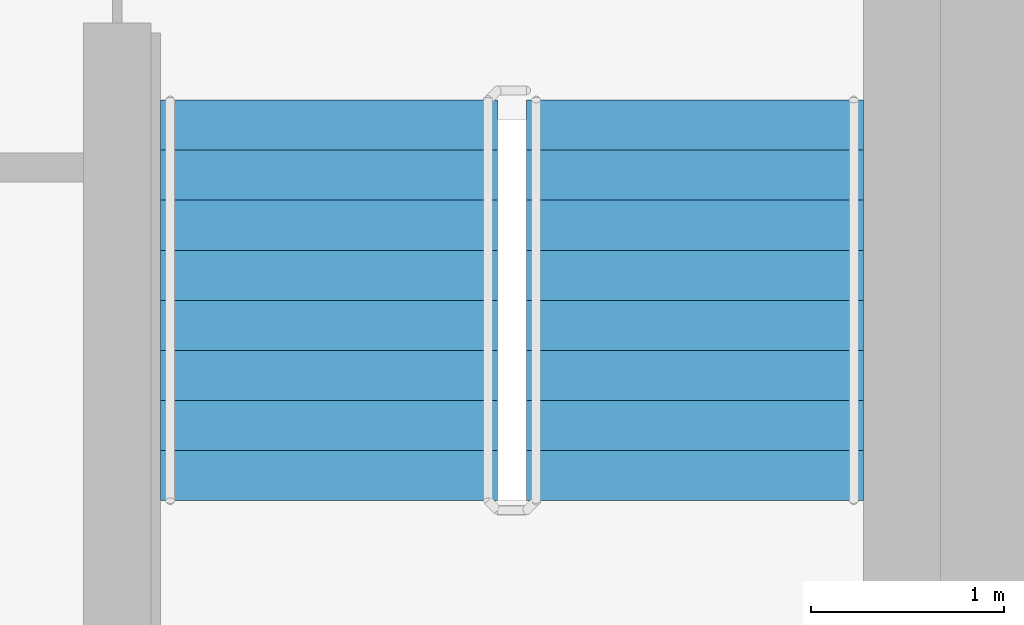
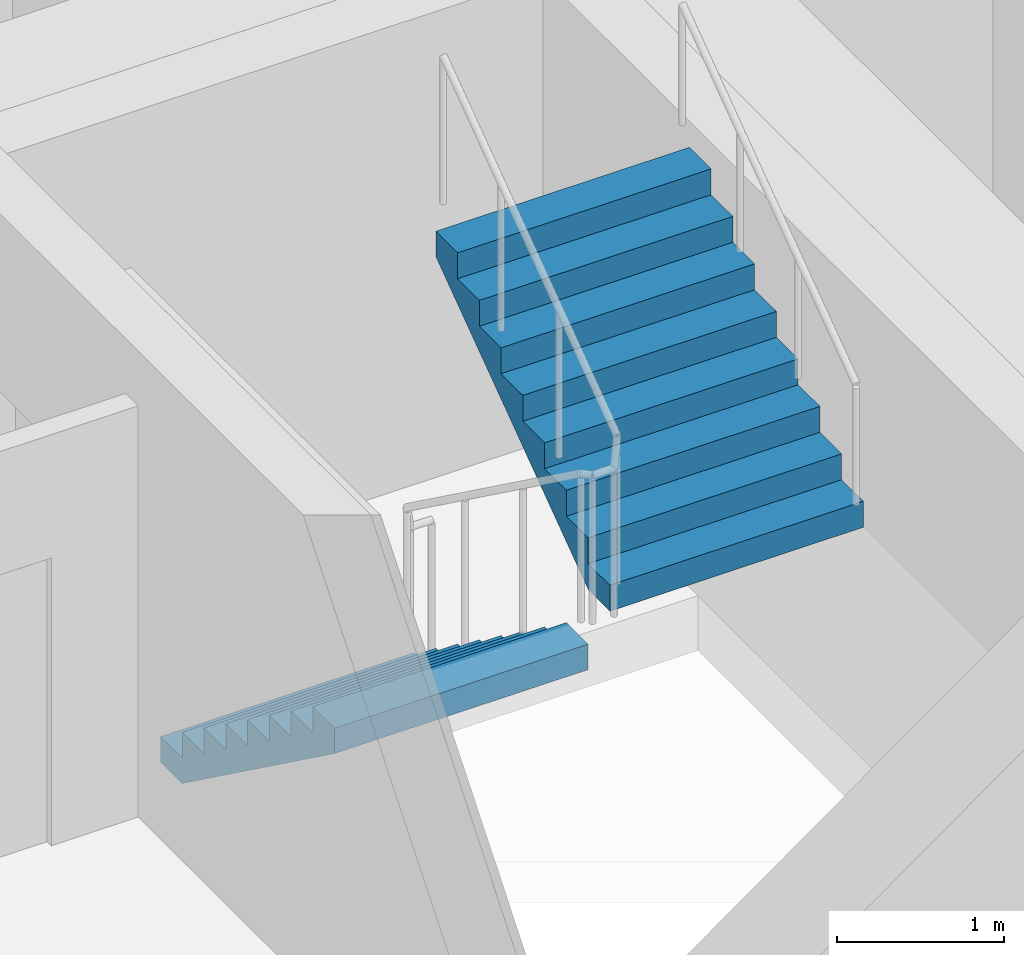
# One storey, part 16 of 20: 2 stair flights, 1 element without a shape of its own.
"""IFC4 building model written with IfcOpenShell, lengths in metres."""

from ifc_helpers import new_model, si_unit, direction, frame, origin, place, context, subcontext, project, spatial, faceted_brep, material, type_object, element, aggregate, save


model = new_model("IFC4")

# Units and contexts
model_context = context("Model", 3, precision=1e-05, world=origin(), true_north=direction((0.0, 1.0)))
body_context = subcontext(model_context, "Body", "Model", "MODEL_VIEW")
ifc_project = project(units=[si_unit("LENGTHUNIT", "METRE"), si_unit("AREAUNIT", "SQUARE_METRE"), si_unit("VOLUMEUNIT", "CUBIC_METRE"), si_unit("PLANEANGLEUNIT", "RADIAN"), si_unit("MASSUNIT", "GRAM", prefix="KILO")], contexts=[model_context])

# Site, building, storey
site_placement = place(None, origin())
site = spatial("IfcSite", under=ifc_project, at=site_placement, CompositionType="ELEMENT")
building_placement = place(site_placement, origin())
building = spatial("IfcBuilding", under=site, at=building_placement, Name="Ipe Terrace Towers", CompositionType="ELEMENT")
storey_placement = place(building_placement, frame((0.0, 0.0, 167.699951171875)))
storey = spatial("IfcBuildingStorey", under=building, at=storey_placement, Name="L46", CompositionType="ELEMENT", Elevation=167.699951171875)

# Stair, stair flights
ifc_material_1 = material(Name="Concrete C30/37", Category="concrete")
stair_type = type_object("IfcStairType", Name="Protected exit stair", PredefinedType="HALF_TURN_STAIR", material=ifc_material_1)
stair_placement = place(storey_placement, origin())
stair = element("IfcStair", 1, at=stair_placement, inside=storey, type_object=stair_type, Name="L46 Exit stair T2-C2", PredefinedType="HALF_TURN_STAIR")
ifc_material_2 = material(Name="Concrete C30/37", Category="concrete")
stair_flight_type = type_object("IfcStairFlightType", Name="Exit stair flight 1750", PredefinedType="STRAIGHT", material=ifc_material_2)
stair_flight_1_placement = place(storey_placement, frame((38.77490234375, -9.699951171875, 0.0), z_axis=(0.0, 0.0, 1.0), x_axis=(0.0, -1.0, 0.0)))
stair_flight_1 = element("IfcStairFlight", 2, at=stair_flight_1_placement, type_object=stair_flight_type, Name="T2-ST2 flight 1", NumberOfRisers=9, NumberOfTreads=8, PredefinedType="STRAIGHT", RiserHeight=0.188888889, TreadLength=0.26, context=body_context, shape_type="Brep", body=[
    faceted_brep([(0.255126953125, -0.875, 0.0), (2.080078125, -0.875, 1.325927734375), (2.080078125, -0.875, 1.51123046875), (1.820068359375, -0.875, 1.51123046875), (1.820068359375, -0.875, 1.322265625), (1.56005859375, -0.875, 1.322265625), (1.56005859375, -0.875, 1.13330078125), (1.300048828125, -0.875, 1.13330078125), (1.300048828125, -0.875, 0.9443359375), (1.0400390625, -0.875, 0.9443359375), (1.0400390625, -0.875, 0.755615234375), (0.780029296875, -0.875, 0.755615234375), (0.780029296875, -0.875, 0.566650390625), (0.52001953125, -0.875, 0.566650390625), (0.52001953125, -0.875, 0.377685546875), (0.260009765625, -0.875, 0.377685546875), (0.260009765625, -0.875, 0.18896484375), (0.0, -0.875, 0.18896484375), (0.0, -0.875, 0.0), (0.0, 0.875, 0.0), (0.0, 0.875, 0.18896484375), (0.260009765625, 0.875, 0.18896484375), (0.260009765625, 0.875, 0.377685546875), (0.52001953125, 0.875, 0.377685546875), (0.52001953125, 0.875, 0.566650390625), (0.780029296875, 0.875, 0.566650390625), (0.780029296875, 0.875, 0.755615234375), (1.0400390625, 0.875, 0.755615234375), (1.0400390625, 0.875, 0.9443359375), (1.300048828125, 0.875, 0.9443359375), (1.300048828125, 0.875, 1.13330078125), (1.56005859375, 0.875, 1.13330078125), (1.56005859375, 0.875, 1.322265625), (1.820068359375, 0.875, 1.322265625), (1.820068359375, 0.875, 1.51123046875), (2.080078125, 0.875, 1.51123046875), (2.080078125, 0.875, 1.325927734375), (0.255126953125, 0.875, 0.0), (0.0, -0.300048828125, 0.18896484375), (0.0, -0.1201171875, 0.18896484375), (0.0, -0.06005859375, 0.18896484375), (0.0, -0.030029296875, 0.18896484375), (0.0, -0.010009765625, 0.18896484375), (0.0, 0.0, 0.18896484375), (0.0, 0.010009765625, 0.18896484375), (0.0, 0.030029296875, 0.18896484375), (0.0, 0.06005859375, 0.18896484375), (0.0, 0.1201171875, 0.18896484375), (0.0, 0.300048828125, 0.18896484375), (0.0, 0.300048828125, 0.0), (0.0, 0.1201171875, 0.0), (0.0, 0.06005859375, 0.0), (0.0, 0.030029296875, 0.0), (0.0, 0.010009765625, 0.0), (0.0, 0.0, 0.0), (0.0, -0.010009765625, 0.0), (0.0, -0.030029296875, 0.0), (0.0, -0.06005859375, 0.0), (0.0, -0.1201171875, 0.0), (0.0, -0.300048828125, 0.0), (0.260009765625, -0.300048828125, 0.18896484375), (0.260009765625, -0.1201171875, 0.18896484375), (0.260009765625, -0.06005859375, 0.18896484375), (0.260009765625, -0.030029296875, 0.18896484375), (0.260009765625, -0.010009765625, 0.18896484375), (0.260009765625, 0.0, 0.18896484375), (0.260009765625, 0.010009765625, 0.18896484375), (0.260009765625, 0.030029296875, 0.18896484375), (0.260009765625, 0.06005859375, 0.18896484375), (0.260009765625, 0.1201171875, 0.18896484375), (0.260009765625, 0.300048828125, 0.18896484375), (0.260009765625, -0.300048828125, 0.377685546875), (0.260009765625, -0.1201171875, 0.377685546875), (0.260009765625, -0.06005859375, 0.377685546875), (0.260009765625, -0.030029296875, 0.377685546875), (0.260009765625, -0.010009765625, 0.377685546875), (0.260009765625, 0.0, 0.377685546875), (0.260009765625, 0.010009765625, 0.377685546875), (0.260009765625, 0.030029296875, 0.377685546875), (0.260009765625, 0.06005859375, 0.377685546875), (0.260009765625, 0.1201171875, 0.377685546875), (0.260009765625, 0.300048828125, 0.377685546875), (0.52001953125, -0.300048828125, 0.377685546875), (0.52001953125, -0.1201171875, 0.377685546875), (0.52001953125, -0.06005859375, 0.377685546875), (0.52001953125, -0.030029296875, 0.377685546875), (0.52001953125, -0.010009765625, 0.377685546875), (0.52001953125, 0.0, 0.377685546875), (0.52001953125, 0.010009765625, 0.377685546875), (0.52001953125, 0.030029296875, 0.377685546875), (0.52001953125, 0.06005859375, 0.377685546875), (0.52001953125, 0.1201171875, 0.377685546875), (0.52001953125, 0.300048828125, 0.377685546875), (0.52001953125, -0.300048828125, 0.566650390625), (0.52001953125, -0.1201171875, 0.566650390625), (0.52001953125, -0.06005859375, 0.566650390625), (0.52001953125, -0.030029296875, 0.566650390625), (0.52001953125, -0.010009765625, 0.566650390625), (0.52001953125, 0.0, 0.566650390625), (0.52001953125, 0.010009765625, 0.566650390625), (0.52001953125, 0.030029296875, 0.566650390625), (0.52001953125, 0.06005859375, 0.566650390625), (0.52001953125, 0.1201171875, 0.566650390625), (0.52001953125, 0.300048828125, 0.566650390625), (0.780029296875, -0.300048828125, 0.566650390625), (0.780029296875, -0.1201171875, 0.566650390625), (0.780029296875, -0.06005859375, 0.566650390625), (0.780029296875, -0.030029296875, 0.566650390625), (0.780029296875, -0.010009765625, 0.566650390625), (0.780029296875, 0.0, 0.566650390625), (0.780029296875, 0.010009765625, 0.566650390625), (0.780029296875, 0.030029296875, 0.566650390625), (0.780029296875, 0.06005859375, 0.566650390625), (0.780029296875, 0.1201171875, 0.566650390625), (0.780029296875, 0.300048828125, 0.566650390625), (0.780029296875, -0.300048828125, 0.755615234375), (0.780029296875, -0.1201171875, 0.755615234375), (0.780029296875, -0.06005859375, 0.755615234375), (0.780029296875, -0.030029296875, 0.755615234375), (0.780029296875, -0.010009765625, 0.755615234375), (0.780029296875, 0.0, 0.755615234375), (0.780029296875, 0.010009765625, 0.755615234375), (0.780029296875, 0.030029296875, 0.755615234375), (0.780029296875, 0.06005859375, 0.755615234375), (0.780029296875, 0.1201171875, 0.755615234375), (0.780029296875, 0.300048828125, 0.755615234375), (1.0400390625, -0.300048828125, 0.755615234375), (1.0400390625, -0.1201171875, 0.755615234375), (1.0400390625, -0.06005859375, 0.755615234375), (1.0400390625, -0.030029296875, 0.755615234375), (1.0400390625, -0.010009765625, 0.755615234375), (1.0400390625, 0.0, 0.755615234375), (1.0400390625, 0.010009765625, 0.755615234375), (1.0400390625, 0.030029296875, 0.755615234375), (1.0400390625, 0.06005859375, 0.755615234375), (1.0400390625, 0.1201171875, 0.755615234375), (1.0400390625, 0.300048828125, 0.755615234375), (1.0400390625, -0.300048828125, 0.9443359375), (1.0400390625, -0.1201171875, 0.9443359375), (1.0400390625, -0.06005859375, 0.9443359375), (1.0400390625, -0.030029296875, 0.9443359375), (1.0400390625, -0.010009765625, 0.9443359375), (1.0400390625, 0.0, 0.9443359375), (1.0400390625, 0.010009765625, 0.9443359375), (1.0400390625, 0.030029296875, 0.9443359375), (1.0400390625, 0.06005859375, 0.9443359375), (1.0400390625, 0.1201171875, 0.9443359375), (1.0400390625, 0.300048828125, 0.9443359375), (1.300048828125, -0.300048828125, 0.9443359375), (1.300048828125, -0.1201171875, 0.9443359375), (1.300048828125, -0.06005859375, 0.9443359375), (1.300048828125, -0.030029296875, 0.9443359375), (1.300048828125, -0.010009765625, 0.9443359375), (1.300048828125, 0.0, 0.9443359375), (1.300048828125, 0.010009765625, 0.9443359375), (1.300048828125, 0.030029296875, 0.9443359375), (1.300048828125, 0.06005859375, 0.9443359375), (1.300048828125, 0.1201171875, 0.9443359375), (1.300048828125, 0.300048828125, 0.9443359375), (1.300048828125, -0.300048828125, 1.13330078125), (1.300048828125, -0.1201171875, 1.13330078125), (1.300048828125, -0.06005859375, 1.13330078125), (1.300048828125, -0.030029296875, 1.13330078125), (1.300048828125, -0.010009765625, 1.13330078125), (1.300048828125, 0.0, 1.13330078125), (1.300048828125, 0.010009765625, 1.13330078125), (1.300048828125, 0.030029296875, 1.13330078125), (1.300048828125, 0.06005859375, 1.13330078125), (1.300048828125, 0.1201171875, 1.13330078125), (1.300048828125, 0.300048828125, 1.13330078125), (1.56005859375, -0.300048828125, 1.13330078125), (1.56005859375, -0.1201171875, 1.13330078125), (1.56005859375, -0.06005859375, 1.13330078125), (1.56005859375, -0.030029296875, 1.13330078125), (1.56005859375, -0.010009765625, 1.13330078125), (1.56005859375, 0.0, 1.13330078125), (1.56005859375, 0.010009765625, 1.13330078125), (1.56005859375, 0.030029296875, 1.13330078125), (1.56005859375, 0.06005859375, 1.13330078125), (1.56005859375, 0.1201171875, 1.13330078125), (1.56005859375, 0.300048828125, 1.13330078125), (1.56005859375, -0.300048828125, 1.322265625), (1.56005859375, -0.1201171875, 1.322265625), (1.56005859375, -0.06005859375, 1.322265625), (1.56005859375, -0.030029296875, 1.322265625), (1.56005859375, -0.010009765625, 1.322265625), (1.56005859375, 0.0, 1.322265625), (1.56005859375, 0.010009765625, 1.322265625), (1.56005859375, 0.030029296875, 1.322265625), (1.56005859375, 0.06005859375, 1.322265625), (1.56005859375, 0.1201171875, 1.322265625), (1.56005859375, 0.300048828125, 1.322265625), (1.820068359375, -0.300048828125, 1.322265625), (1.820068359375, -0.1201171875, 1.322265625), (1.820068359375, -0.06005859375, 1.322265625), (1.820068359375, -0.030029296875, 1.322265625), (1.820068359375, -0.010009765625, 1.322265625), (1.820068359375, 0.0, 1.322265625), (1.820068359375, 0.010009765625, 1.322265625), (1.820068359375, 0.030029296875, 1.322265625), (1.820068359375, 0.06005859375, 1.322265625), (1.820068359375, 0.1201171875, 1.322265625), (1.820068359375, 0.300048828125, 1.322265625), (1.820068359375, -0.300048828125, 1.51123046875), (1.820068359375, -0.1201171875, 1.51123046875), (1.820068359375, -0.06005859375, 1.51123046875), (1.820068359375, -0.030029296875, 1.51123046875), (1.820068359375, -0.010009765625, 1.51123046875), (1.820068359375, 0.0, 1.51123046875), (1.820068359375, 0.010009765625, 1.51123046875), (1.820068359375, 0.030029296875, 1.51123046875), (1.820068359375, 0.06005859375, 1.51123046875), (1.820068359375, 0.1201171875, 1.51123046875), (1.820068359375, 0.300048828125, 1.51123046875), (2.080078125, -0.300048828125, 1.51123046875), (2.080078125, -0.1201171875, 1.51123046875), (2.080078125, -0.06005859375, 1.51123046875), (2.080078125, -0.030029296875, 1.51123046875), (2.080078125, -0.010009765625, 1.51123046875), (2.080078125, 0.0, 1.51123046875), (2.080078125, 0.010009765625, 1.51123046875), (2.080078125, 0.030029296875, 1.51123046875), (2.080078125, 0.06005859375, 1.51123046875), (2.080078125, 0.1201171875, 1.51123046875), (2.080078125, 0.300048828125, 1.51123046875), (2.080078125, -0.300048828125, 1.325927734375), (2.080078125, -0.1201171875, 1.325927734375), (2.080078125, -0.06005859375, 1.325927734375), (2.080078125, -0.030029296875, 1.325927734375), (2.080078125, -0.010009765625, 1.325927734375), (2.080078125, 0.0, 1.325927734375), (2.080078125, 0.010009765625, 1.325927734375), (2.080078125, 0.030029296875, 1.325927734375), (2.080078125, 0.06005859375, 1.325927734375), (2.080078125, 0.1201171875, 1.325927734375), (2.080078125, 0.300048828125, 1.325927734375), (0.255126953125, -0.300048828125, 0.0), (0.255126953125, -0.1201171875, 0.0), (0.255126953125, -0.06005859375, 0.0), (0.255126953125, -0.030029296875, 0.0), (0.255126953125, -0.010009765625, 0.0), (0.255126953125, 0.0, 0.0), (0.255126953125, 0.010009765625, 0.0), (0.255126953125, 0.030029296875, 0.0), (0.255126953125, 0.06005859375, 0.0), (0.255126953125, 0.1201171875, 0.0), (0.255126953125, 0.300048828125, 0.0)], [[[0, 1, 2, 3, 4, 5, 6, 7, 8, 9, 10, 11, 12, 13, 14, 15, 16, 17, 18]], [[19, 20, 21, 22, 23, 24, 25, 26, 27, 28, 29, 30, 31, 32, 33, 34, 35, 36, 37]], [[17, 38, 39, 40, 41, 42, 43, 44, 45, 46, 47, 48, 20, 19, 49, 50, 51, 52, 53, 54, 55, 56, 57, 58, 59, 18]], [[16, 60, 61, 62, 63, 64, 65, 66, 67, 68, 69, 70, 21, 20, 48, 47, 46, 45, 44, 43, 42, 41, 40, 39, 38, 17]], [[15, 71, 72, 73, 74, 75, 76, 77, 78, 79, 80, 81, 22, 21, 70, 69, 68, 67, 66, 65, 64, 63, 62, 61, 60, 16]], [[14, 82, 83, 84, 85, 86, 87, 88, 89, 90, 91, 92, 23, 22, 81, 80, 79, 78, 77, 76, 75, 74, 73, 72, 71, 15]], [[13, 93, 94, 95, 96, 97, 98, 99, 100, 101, 102, 103, 24, 23, 92, 91, 90, 89, 88, 87, 86, 85, 84, 83, 82, 14]], [[12, 104, 105, 106, 107, 108, 109, 110, 111, 112, 113, 114, 25, 24, 103, 102, 101, 100, 99, 98, 97, 96, 95, 94, 93, 13]], [[11, 115, 116, 117, 118, 119, 120, 121, 122, 123, 124, 125, 26, 25, 114, 113, 112, 111, 110, 109, 108, 107, 106, 105, 104, 12]], [[10, 126, 127, 128, 129, 130, 131, 132, 133, 134, 135, 136, 27, 26, 125, 124, 123, 122, 121, 120, 119, 118, 117, 116, 115, 11]], [[9, 137, 138, 139, 140, 141, 142, 143, 144, 145, 146, 147, 28, 27, 136, 135, 134, 133, 132, 131, 130, 129, 128, 127, 126, 10]], [[8, 148, 149, 150, 151, 152, 153, 154, 155, 156, 157, 158, 29, 28, 147, 146, 145, 144, 143, 142, 141, 140, 139, 138, 137, 9]], [[7, 159, 160, 161, 162, 163, 164, 165, 166, 167, 168, 169, 30, 29, 158, 157, 156, 155, 154, 153, 152, 151, 150, 149, 148, 8]], [[6, 170, 171, 172, 173, 174, 175, 176, 177, 178, 179, 180, 31, 30, 169, 168, 167, 166, 165, 164, 163, 162, 161, 160, 159, 7]], [[5, 181, 182, 183, 184, 185, 186, 187, 188, 189, 190, 191, 32, 31, 180, 179, 178, 177, 176, 175, 174, 173, 172, 171, 170, 6]], [[4, 192, 193, 194, 195, 196, 197, 198, 199, 200, 201, 202, 33, 32, 191, 190, 189, 188, 187, 186, 185, 184, 183, 182, 181, 5]], [[3, 203, 204, 205, 206, 207, 208, 209, 210, 211, 212, 213, 34, 33, 202, 201, 200, 199, 198, 197, 196, 195, 194, 193, 192, 4]], [[2, 214, 215, 216, 217, 218, 219, 220, 221, 222, 223, 224, 35, 34, 213, 212, 211, 210, 209, 208, 207, 206, 205, 204, 203, 3]], [[1, 225, 226, 227, 228, 229, 230, 231, 232, 233, 234, 235, 36, 35, 224, 223, 222, 221, 220, 219, 218, 217, 216, 215, 214, 2]], [[0, 236, 237, 238, 239, 240, 241, 242, 243, 244, 245, 246, 37, 36, 235, 234, 233, 232, 231, 230, 229, 228, 227, 226, 225, 1]], [[18, 59, 58, 57, 56, 55, 54, 53, 52, 51, 50, 49, 19, 37, 246, 245, 244, 243, 242, 241, 240, 239, 238, 237, 236, 0]]]),
])
stair_flight_2_placement = place(storey_placement, frame((40.675048828125, -11.780029296875, 1.699951171875), z_axis=(0.0, 0.0, 1.0), x_axis=(0.0, 1.0, 0.0)))
stair_flight_2 = element("IfcStairFlight", 3, at=stair_flight_2_placement, type_object=stair_flight_type, Name="T2-ST2 flight 2", NumberOfRisers=9, NumberOfTreads=8, PredefinedType="STRAIGHT", RiserHeight=0.188888889, TreadLength=0.26, context=body_context, shape_type="Brep", body=[
    faceted_brep([(0.255126953125, -0.875, 0.0), (2.080078125, -0.875, 1.325927734375), (2.080078125, -0.875, 1.51123046875), (1.820068359375, -0.875, 1.51123046875), (1.820068359375, -0.875, 1.322265625), (1.56005859375, -0.875, 1.322265625), (1.56005859375, -0.875, 1.13330078125), (1.300048828125, -0.875, 1.13330078125), (1.300048828125, -0.875, 0.9443359375), (1.0400390625, -0.875, 0.9443359375), (1.0400390625, -0.875, 0.755615234375), (0.780029296875, -0.875, 0.755615234375), (0.780029296875, -0.875, 0.566650390625), (0.52001953125, -0.875, 0.566650390625), (0.52001953125, -0.875, 0.377685546875), (0.260009765625, -0.875, 0.377685546875), (0.260009765625, -0.875, 0.18896484375), (0.0, -0.875, 0.18896484375), (0.0, -0.875, 0.0), (0.0, 0.875, 0.0), (0.0, 0.875, 0.18896484375), (0.260009765625, 0.875, 0.18896484375), (0.260009765625, 0.875, 0.377685546875), (0.52001953125, 0.875, 0.377685546875), (0.52001953125, 0.875, 0.566650390625), (0.780029296875, 0.875, 0.566650390625), (0.780029296875, 0.875, 0.755615234375), (1.0400390625, 0.875, 0.755615234375), (1.0400390625, 0.875, 0.9443359375), (1.300048828125, 0.875, 0.9443359375), (1.300048828125, 0.875, 1.13330078125), (1.56005859375, 0.875, 1.13330078125), (1.56005859375, 0.875, 1.322265625), (1.820068359375, 0.875, 1.322265625), (1.820068359375, 0.875, 1.51123046875), (2.080078125, 0.875, 1.51123046875), (2.080078125, 0.875, 1.325927734375), (0.255126953125, 0.875, 0.0), (0.0, -0.300048828125, 0.18896484375), (0.0, -0.1201171875, 0.18896484375), (0.0, -0.06005859375, 0.18896484375), (0.0, -0.030029296875, 0.18896484375), (0.0, -0.010009765625, 0.18896484375), (0.0, 0.0, 0.18896484375), (0.0, 0.010009765625, 0.18896484375), (0.0, 0.030029296875, 0.18896484375), (0.0, 0.06005859375, 0.18896484375), (0.0, 0.1201171875, 0.18896484375), (0.0, 0.300048828125, 0.18896484375), (0.0, 0.300048828125, 0.0), (0.0, 0.1201171875, 0.0), (0.0, 0.06005859375, 0.0), (0.0, 0.030029296875, 0.0), (0.0, 0.010009765625, 0.0), (0.0, 0.0, 0.0), (0.0, -0.010009765625, 0.0), (0.0, -0.030029296875, 0.0), (0.0, -0.06005859375, 0.0), (0.0, -0.1201171875, 0.0), (0.0, -0.300048828125, 0.0), (0.260009765625, -0.300048828125, 0.18896484375), (0.260009765625, -0.1201171875, 0.18896484375), (0.260009765625, -0.06005859375, 0.18896484375), (0.260009765625, -0.030029296875, 0.18896484375), (0.260009765625, -0.010009765625, 0.18896484375), (0.260009765625, 0.0, 0.18896484375), (0.260009765625, 0.010009765625, 0.18896484375), (0.260009765625, 0.030029296875, 0.18896484375), (0.260009765625, 0.06005859375, 0.18896484375), (0.260009765625, 0.1201171875, 0.18896484375), (0.260009765625, 0.300048828125, 0.18896484375), (0.260009765625, -0.300048828125, 0.377685546875), (0.260009765625, -0.1201171875, 0.377685546875), (0.260009765625, -0.06005859375, 0.377685546875), (0.260009765625, -0.030029296875, 0.377685546875), (0.260009765625, -0.010009765625, 0.377685546875), (0.260009765625, 0.0, 0.377685546875), (0.260009765625, 0.010009765625, 0.377685546875), (0.260009765625, 0.030029296875, 0.377685546875), (0.260009765625, 0.06005859375, 0.377685546875), (0.260009765625, 0.1201171875, 0.377685546875), (0.260009765625, 0.300048828125, 0.377685546875), (0.52001953125, -0.300048828125, 0.377685546875), (0.52001953125, -0.1201171875, 0.377685546875), (0.52001953125, -0.06005859375, 0.377685546875), (0.52001953125, -0.030029296875, 0.377685546875), (0.52001953125, -0.010009765625, 0.377685546875), (0.52001953125, 0.0, 0.377685546875), (0.52001953125, 0.010009765625, 0.377685546875), (0.52001953125, 0.030029296875, 0.377685546875), (0.52001953125, 0.06005859375, 0.377685546875), (0.52001953125, 0.1201171875, 0.377685546875), (0.52001953125, 0.300048828125, 0.377685546875), (0.52001953125, -0.300048828125, 0.566650390625), (0.52001953125, -0.1201171875, 0.566650390625), (0.52001953125, -0.06005859375, 0.566650390625), (0.52001953125, -0.030029296875, 0.566650390625), (0.52001953125, -0.010009765625, 0.566650390625), (0.52001953125, 0.0, 0.566650390625), (0.52001953125, 0.010009765625, 0.566650390625), (0.52001953125, 0.030029296875, 0.566650390625), (0.52001953125, 0.06005859375, 0.566650390625), (0.52001953125, 0.1201171875, 0.566650390625), (0.52001953125, 0.300048828125, 0.566650390625), (0.780029296875, -0.300048828125, 0.566650390625), (0.780029296875, -0.1201171875, 0.566650390625), (0.780029296875, -0.06005859375, 0.566650390625), (0.780029296875, -0.030029296875, 0.566650390625), (0.780029296875, -0.010009765625, 0.566650390625), (0.780029296875, 0.0, 0.566650390625), (0.780029296875, 0.010009765625, 0.566650390625), (0.780029296875, 0.030029296875, 0.566650390625), (0.780029296875, 0.06005859375, 0.566650390625), (0.780029296875, 0.1201171875, 0.566650390625), (0.780029296875, 0.300048828125, 0.566650390625), (0.780029296875, -0.300048828125, 0.755615234375), (0.780029296875, -0.1201171875, 0.755615234375), (0.780029296875, -0.06005859375, 0.755615234375), (0.780029296875, -0.030029296875, 0.755615234375), (0.780029296875, -0.010009765625, 0.755615234375), (0.780029296875, 0.0, 0.755615234375), (0.780029296875, 0.010009765625, 0.755615234375), (0.780029296875, 0.030029296875, 0.755615234375), (0.780029296875, 0.06005859375, 0.755615234375), (0.780029296875, 0.1201171875, 0.755615234375), (0.780029296875, 0.300048828125, 0.755615234375), (1.0400390625, -0.300048828125, 0.755615234375), (1.0400390625, -0.1201171875, 0.755615234375), (1.0400390625, -0.06005859375, 0.755615234375), (1.0400390625, -0.030029296875, 0.755615234375), (1.0400390625, -0.010009765625, 0.755615234375), (1.0400390625, 0.0, 0.755615234375), (1.0400390625, 0.010009765625, 0.755615234375), (1.0400390625, 0.030029296875, 0.755615234375), (1.0400390625, 0.06005859375, 0.755615234375), (1.0400390625, 0.1201171875, 0.755615234375), (1.0400390625, 0.300048828125, 0.755615234375), (1.0400390625, -0.300048828125, 0.9443359375), (1.0400390625, -0.1201171875, 0.9443359375), (1.0400390625, -0.06005859375, 0.9443359375), (1.0400390625, -0.030029296875, 0.9443359375), (1.0400390625, -0.010009765625, 0.9443359375), (1.0400390625, 0.0, 0.9443359375), (1.0400390625, 0.010009765625, 0.9443359375), (1.0400390625, 0.030029296875, 0.9443359375), (1.0400390625, 0.06005859375, 0.9443359375), (1.0400390625, 0.1201171875, 0.9443359375), (1.0400390625, 0.300048828125, 0.9443359375), (1.300048828125, -0.300048828125, 0.9443359375), (1.300048828125, -0.1201171875, 0.9443359375), (1.300048828125, -0.06005859375, 0.9443359375), (1.300048828125, -0.030029296875, 0.9443359375), (1.300048828125, -0.010009765625, 0.9443359375), (1.300048828125, 0.0, 0.9443359375), (1.300048828125, 0.010009765625, 0.9443359375), (1.300048828125, 0.030029296875, 0.9443359375), (1.300048828125, 0.06005859375, 0.9443359375), (1.300048828125, 0.1201171875, 0.9443359375), (1.300048828125, 0.300048828125, 0.9443359375), (1.300048828125, -0.300048828125, 1.13330078125), (1.300048828125, -0.1201171875, 1.13330078125), (1.300048828125, -0.06005859375, 1.13330078125), (1.300048828125, -0.030029296875, 1.13330078125), (1.300048828125, -0.010009765625, 1.13330078125), (1.300048828125, 0.0, 1.13330078125), (1.300048828125, 0.010009765625, 1.13330078125), (1.300048828125, 0.030029296875, 1.13330078125), (1.300048828125, 0.06005859375, 1.13330078125), (1.300048828125, 0.1201171875, 1.13330078125), (1.300048828125, 0.300048828125, 1.13330078125), (1.56005859375, -0.300048828125, 1.13330078125), (1.56005859375, -0.1201171875, 1.13330078125), (1.56005859375, -0.06005859375, 1.13330078125), (1.56005859375, -0.030029296875, 1.13330078125), (1.56005859375, -0.010009765625, 1.13330078125), (1.56005859375, 0.0, 1.13330078125), (1.56005859375, 0.010009765625, 1.13330078125), (1.56005859375, 0.030029296875, 1.13330078125), (1.56005859375, 0.06005859375, 1.13330078125), (1.56005859375, 0.1201171875, 1.13330078125), (1.56005859375, 0.300048828125, 1.13330078125), (1.56005859375, -0.300048828125, 1.322265625), (1.56005859375, -0.1201171875, 1.322265625), (1.56005859375, -0.06005859375, 1.322265625), (1.56005859375, -0.030029296875, 1.322265625), (1.56005859375, -0.010009765625, 1.322265625), (1.56005859375, 0.0, 1.322265625), (1.56005859375, 0.010009765625, 1.322265625), (1.56005859375, 0.030029296875, 1.322265625), (1.56005859375, 0.06005859375, 1.322265625), (1.56005859375, 0.1201171875, 1.322265625), (1.56005859375, 0.300048828125, 1.322265625), (1.820068359375, -0.300048828125, 1.322265625), (1.820068359375, -0.1201171875, 1.322265625), (1.820068359375, -0.06005859375, 1.322265625), (1.820068359375, -0.030029296875, 1.322265625), (1.820068359375, -0.010009765625, 1.322265625), (1.820068359375, 0.0, 1.322265625), (1.820068359375, 0.010009765625, 1.322265625), (1.820068359375, 0.030029296875, 1.322265625), (1.820068359375, 0.06005859375, 1.322265625), (1.820068359375, 0.1201171875, 1.322265625), (1.820068359375, 0.300048828125, 1.322265625), (1.820068359375, -0.300048828125, 1.51123046875), (1.820068359375, -0.1201171875, 1.51123046875), (1.820068359375, -0.06005859375, 1.51123046875), (1.820068359375, -0.030029296875, 1.51123046875), (1.820068359375, -0.010009765625, 1.51123046875), (1.820068359375, 0.0, 1.51123046875), (1.820068359375, 0.010009765625, 1.51123046875), (1.820068359375, 0.030029296875, 1.51123046875), (1.820068359375, 0.06005859375, 1.51123046875), (1.820068359375, 0.1201171875, 1.51123046875), (1.820068359375, 0.300048828125, 1.51123046875), (2.080078125, -0.300048828125, 1.51123046875), (2.080078125, -0.1201171875, 1.51123046875), (2.080078125, -0.06005859375, 1.51123046875), (2.080078125, -0.030029296875, 1.51123046875), (2.080078125, -0.010009765625, 1.51123046875), (2.080078125, 0.0, 1.51123046875), (2.080078125, 0.010009765625, 1.51123046875), (2.080078125, 0.030029296875, 1.51123046875), (2.080078125, 0.06005859375, 1.51123046875), (2.080078125, 0.1201171875, 1.51123046875), (2.080078125, 0.300048828125, 1.51123046875), (2.080078125, -0.300048828125, 1.325927734375), (2.080078125, -0.1201171875, 1.325927734375), (2.080078125, -0.06005859375, 1.325927734375), (2.080078125, -0.030029296875, 1.325927734375), (2.080078125, -0.010009765625, 1.325927734375), (2.080078125, 0.0, 1.325927734375), (2.080078125, 0.010009765625, 1.325927734375), (2.080078125, 0.030029296875, 1.325927734375), (2.080078125, 0.06005859375, 1.325927734375), (2.080078125, 0.1201171875, 1.325927734375), (2.080078125, 0.300048828125, 1.325927734375), (0.255126953125, -0.300048828125, 0.0), (0.255126953125, -0.1201171875, 0.0), (0.255126953125, -0.06005859375, 0.0), (0.255126953125, -0.030029296875, 0.0), (0.255126953125, -0.010009765625, 0.0), (0.255126953125, 0.0, 0.0), (0.255126953125, 0.010009765625, 0.0), (0.255126953125, 0.030029296875, 0.0), (0.255126953125, 0.06005859375, 0.0), (0.255126953125, 0.1201171875, 0.0), (0.255126953125, 0.300048828125, 0.0)], [[[0, 1, 2, 3, 4, 5, 6, 7, 8, 9, 10, 11, 12, 13, 14, 15, 16, 17, 18]], [[19, 20, 21, 22, 23, 24, 25, 26, 27, 28, 29, 30, 31, 32, 33, 34, 35, 36, 37]], [[17, 38, 39, 40, 41, 42, 43, 44, 45, 46, 47, 48, 20, 19, 49, 50, 51, 52, 53, 54, 55, 56, 57, 58, 59, 18]], [[16, 60, 61, 62, 63, 64, 65, 66, 67, 68, 69, 70, 21, 20, 48, 47, 46, 45, 44, 43, 42, 41, 40, 39, 38, 17]], [[15, 71, 72, 73, 74, 75, 76, 77, 78, 79, 80, 81, 22, 21, 70, 69, 68, 67, 66, 65, 64, 63, 62, 61, 60, 16]], [[14, 82, 83, 84, 85, 86, 87, 88, 89, 90, 91, 92, 23, 22, 81, 80, 79, 78, 77, 76, 75, 74, 73, 72, 71, 15]], [[13, 93, 94, 95, 96, 97, 98, 99, 100, 101, 102, 103, 24, 23, 92, 91, 90, 89, 88, 87, 86, 85, 84, 83, 82, 14]], [[12, 104, 105, 106, 107, 108, 109, 110, 111, 112, 113, 114, 25, 24, 103, 102, 101, 100, 99, 98, 97, 96, 95, 94, 93, 13]], [[11, 115, 116, 117, 118, 119, 120, 121, 122, 123, 124, 125, 26, 25, 114, 113, 112, 111, 110, 109, 108, 107, 106, 105, 104, 12]], [[10, 126, 127, 128, 129, 130, 131, 132, 133, 134, 135, 136, 27, 26, 125, 124, 123, 122, 121, 120, 119, 118, 117, 116, 115, 11]], [[9, 137, 138, 139, 140, 141, 142, 143, 144, 145, 146, 147, 28, 27, 136, 135, 134, 133, 132, 131, 130, 129, 128, 127, 126, 10]], [[8, 148, 149, 150, 151, 152, 153, 154, 155, 156, 157, 158, 29, 28, 147, 146, 145, 144, 143, 142, 141, 140, 139, 138, 137, 9]], [[7, 159, 160, 161, 162, 163, 164, 165, 166, 167, 168, 169, 30, 29, 158, 157, 156, 155, 154, 153, 152, 151, 150, 149, 148, 8]], [[6, 170, 171, 172, 173, 174, 175, 176, 177, 178, 179, 180, 31, 30, 169, 168, 167, 166, 165, 164, 163, 162, 161, 160, 159, 7]], [[5, 181, 182, 183, 184, 185, 186, 187, 188, 189, 190, 191, 32, 31, 180, 179, 178, 177, 176, 175, 174, 173, 172, 171, 170, 6]], [[4, 192, 193, 194, 195, 196, 197, 198, 199, 200, 201, 202, 33, 32, 191, 190, 189, 188, 187, 186, 185, 184, 183, 182, 181, 5]], [[3, 203, 204, 205, 206, 207, 208, 209, 210, 211, 212, 213, 34, 33, 202, 201, 200, 199, 198, 197, 196, 195, 194, 193, 192, 4]], [[2, 214, 215, 216, 217, 218, 219, 220, 221, 222, 223, 224, 35, 34, 213, 212, 211, 210, 209, 208, 207, 206, 205, 204, 203, 3]], [[1, 225, 226, 227, 228, 229, 230, 231, 232, 233, 234, 235, 36, 35, 224, 223, 222, 221, 220, 219, 218, 217, 216, 215, 214, 2]], [[0, 236, 237, 238, 239, 240, 241, 242, 243, 244, 245, 246, 37, 36, 235, 234, 233, 232, 231, 230, 229, 228, 227, 226, 225, 1]], [[18, 59, 58, 57, 56, 55, 54, 53, 52, 51, 50, 49, 19, 37, 246, 245, 244, 243, 242, 241, 240, 239, 238, 237, 236, 0]]]),
])
aggregate(stair, [stair_flight_1, stair_flight_2])

save(model, "model.ifc")
